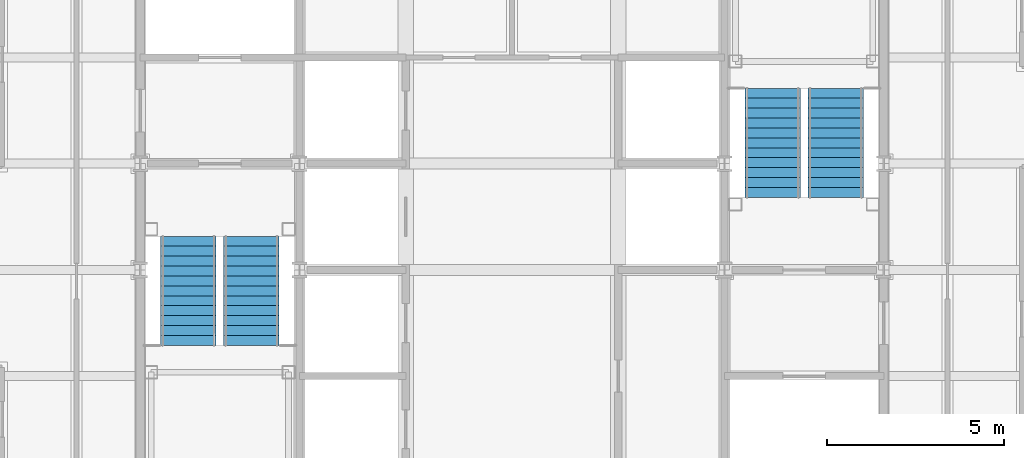
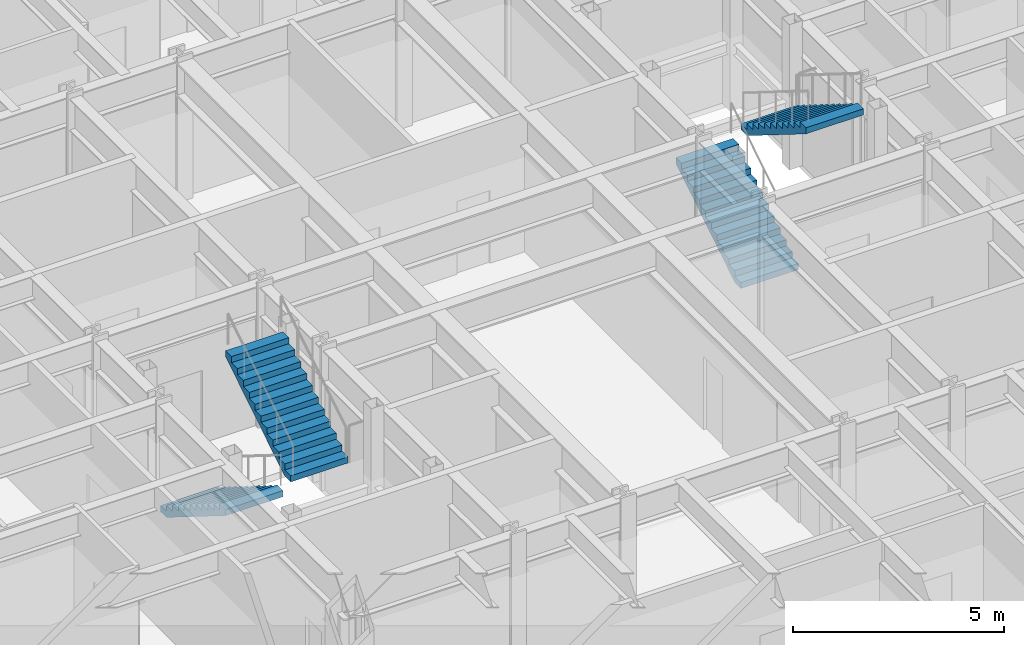
# One storey, part 13 of 15: 4 stair flights, 2 elements without a shape of their own.
"""IFC4 building model written with IfcOpenShell, lengths in metres."""

from ifc_helpers import new_model, si_unit, direction, frame, origin, place, context, subcontext, project, spatial, faceted_brep, material, type_object, element, aggregate, save


model = new_model("IFC4")

# Units and contexts
model_context = context("Model", 3, precision=1e-05, world=origin(), true_north=direction((0.0, 1.0)))
body_context = subcontext(model_context, "Body", "Model", "MODEL_VIEW")
ifc_project = project(units=[si_unit("LENGTHUNIT", "METRE"), si_unit("AREAUNIT", "SQUARE_METRE"), si_unit("VOLUMEUNIT", "CUBIC_METRE"), si_unit("PLANEANGLEUNIT", "RADIAN"), si_unit("MASSUNIT", "GRAM", prefix="KILO")], contexts=[model_context])

# Site, building, storey
site_placement = place(None, origin())
site = spatial("IfcSite", under=ifc_project, at=site_placement, CompositionType="ELEMENT")
building_placement = place(site_placement, origin())
building = spatial("IfcBuilding", under=site, at=building_placement, Name="Chuquiago Exchange Tower", CompositionType="ELEMENT")
storey_placement = place(building_placement, frame((0.0, 0.0, 287.39990234375)))
storey = spatial("IfcBuildingStorey", under=building, at=storey_placement, Name="L64", CompositionType="ELEMENT", Elevation=287.39990234375)

# Stair, stair flights
ifc_material_1 = material(Name="Concrete C30/37, precast", Category="concrete")
stair_type_1 = type_object("IfcStairType", Name="ST1 half-turn stair 4200", PredefinedType="HALF_TURN_STAIR", material=ifc_material_1)
stair_1_placement = place(storey_placement, origin())
stair_1 = element("IfcStair", 1, at=stair_1_placement, inside=storey, type_object=stair_type_1, Name="Stair ST1 L64", PredefinedType="HALF_TURN_STAIR")
ifc_material_2 = material(Name="Concrete C30/37, precast", Category="concrete")
stair_flight_type = type_object("IfcStairFlightType", Name="ST-F flight 1570 for 4200 storey", PredefinedType="STRAIGHT", material=ifc_material_2)
stair_flight_1_placement = place(storey_placement, frame((13.360107421875, 21.949951171875, 0.0), z_axis=(0.0, 0.0, 1.0), x_axis=(0.0, -1.0, 0.0)))
stair_flight_1 = element("IfcStairFlight", 2, at=stair_flight_1_placement, type_object=stair_flight_type, Name="ST1 flight 1", NumberOfRisers=12, NumberOfTreads=11, PredefinedType="STRAIGHT", RiserHeight=0.175, TreadLength=0.28, context=body_context, shape_type="Brep", body=[
    faceted_brep([(0.0, 0.78515625, 0.0), (0.0, 0.78515625, 0.175048828125), (0.280029296875, 0.78515625, 0.175048828125), (0.280029296875, 0.78515625, 0.35009765625), (0.56005859375, 0.78515625, 0.35009765625), (0.56005859375, 0.78515625, 0.52490234375), (0.840087890625, 0.78515625, 0.52490234375), (0.840087890625, 0.78515625, 0.699951171875), (1.1201171875, 0.78515625, 0.699951171875), (1.1201171875, 0.78515625, 0.875), (1.39990234375, 0.78515625, 0.875), (1.39990234375, 0.78515625, 1.050048828125), (1.679931640625, 0.78515625, 1.050048828125), (1.679931640625, 0.78515625, 1.22509765625), (1.9599609375, 0.78515625, 1.22509765625), (1.9599609375, 0.78515625, 1.39990234375), (2.239990234375, 0.78515625, 1.39990234375), (2.239990234375, 0.78515625, 1.574951171875), (2.52001953125, 0.78515625, 1.574951171875), (2.52001953125, 0.78515625, 1.75), (2.800048828125, 0.78515625, 1.75), (2.800048828125, 0.78515625, 1.925048828125), (3.080078125, 0.78515625, 1.925048828125), (3.080078125, 0.78515625, 1.748291015625), (0.28271484375, 0.78515625, 0.0), (0.28271484375, -0.78515625, 0.0), (3.080078125, -0.78515625, 1.748291015625), (3.080078125, -0.78515625, 1.925048828125), (2.800048828125, -0.78515625, 1.925048828125), (2.800048828125, -0.78515625, 1.75), (2.52001953125, -0.78515625, 1.75), (2.52001953125, -0.78515625, 1.574951171875), (2.239990234375, -0.78515625, 1.574951171875), (2.239990234375, -0.78515625, 1.39990234375), (1.9599609375, -0.78515625, 1.39990234375), (1.9599609375, -0.78515625, 1.22509765625), (1.679931640625, -0.78515625, 1.22509765625), (1.679931640625, -0.78515625, 1.050048828125), (1.39990234375, -0.78515625, 1.050048828125), (1.39990234375, -0.78515625, 0.875), (1.1201171875, -0.78515625, 0.875), (1.1201171875, -0.78515625, 0.699951171875), (0.840087890625, -0.78515625, 0.699951171875), (0.840087890625, -0.78515625, 0.52490234375), (0.56005859375, -0.78515625, 0.52490234375), (0.56005859375, -0.78515625, 0.35009765625), (0.280029296875, -0.78515625, 0.35009765625), (0.280029296875, -0.78515625, 0.175048828125), (0.0, -0.78515625, 0.175048828125), (0.0, -0.78515625, 0.0), (0.0, 0.392578125, 0.0), (0.0, 0.392578125, 0.175048828125), (0.0, 0.0, 0.0), (0.0, 0.0, 0.175048828125), (0.0, -0.392578125, 0.0), (0.0, -0.392578125, 0.175048828125), (0.280029296875, 0.392578125, 0.175048828125), (0.280029296875, 0.0, 0.175048828125), (0.280029296875, -0.392578125, 0.175048828125), (0.280029296875, 0.392578125, 0.35009765625), (0.280029296875, 0.0, 0.35009765625), (0.280029296875, -0.392578125, 0.35009765625), (0.56005859375, 0.392578125, 0.35009765625), (0.56005859375, 0.0, 0.35009765625), (0.56005859375, -0.392578125, 0.35009765625), (0.56005859375, 0.392578125, 0.52490234375), (0.56005859375, 0.0, 0.52490234375), (0.56005859375, -0.392578125, 0.52490234375), (0.840087890625, 0.392578125, 0.52490234375), (0.840087890625, 0.0, 0.52490234375), (0.840087890625, -0.392578125, 0.52490234375), (0.840087890625, 0.392578125, 0.699951171875), (0.840087890625, 0.0, 0.699951171875), (0.840087890625, -0.392578125, 0.699951171875), (1.1201171875, 0.392578125, 0.699951171875), (1.1201171875, 0.0, 0.699951171875), (1.1201171875, -0.392578125, 0.699951171875), (1.1201171875, 0.392578125, 0.875), (1.1201171875, 0.0, 0.875), (1.1201171875, -0.392578125, 0.875), (1.39990234375, 0.392578125, 0.875), (1.39990234375, 0.0, 0.875), (1.39990234375, -0.392578125, 0.875), (1.39990234375, 0.392578125, 1.050048828125), (1.39990234375, 0.0, 1.050048828125), (1.39990234375, -0.392578125, 1.050048828125), (1.679931640625, 0.392578125, 1.050048828125), (1.679931640625, 0.0, 1.050048828125), (1.679931640625, -0.392578125, 1.050048828125), (1.679931640625, 0.392578125, 1.22509765625), (1.679931640625, 0.0, 1.22509765625), (1.679931640625, -0.392578125, 1.22509765625), (1.9599609375, 0.392578125, 1.22509765625), (1.9599609375, 0.0, 1.22509765625), (1.9599609375, -0.392578125, 1.22509765625), (1.9599609375, 0.392578125, 1.39990234375), (1.9599609375, 0.0, 1.39990234375), (1.9599609375, -0.392578125, 1.39990234375), (2.239990234375, 0.392578125, 1.39990234375), (2.239990234375, 0.0, 1.39990234375), (2.239990234375, -0.392578125, 1.39990234375), (2.239990234375, 0.392578125, 1.574951171875), (2.239990234375, 0.0, 1.574951171875), (2.239990234375, -0.392578125, 1.574951171875), (2.52001953125, 0.392578125, 1.574951171875), (2.52001953125, 0.0, 1.574951171875), (2.52001953125, -0.392578125, 1.574951171875), (2.52001953125, 0.392578125, 1.75), (2.52001953125, 0.0, 1.75), (2.52001953125, -0.392578125, 1.75), (2.800048828125, 0.392578125, 1.75), (2.800048828125, 0.0, 1.75), (2.800048828125, -0.392578125, 1.75), (2.800048828125, 0.392578125, 1.925048828125), (2.800048828125, 0.0, 1.925048828125), (2.800048828125, -0.392578125, 1.925048828125), (3.080078125, 0.392578125, 1.925048828125), (3.080078125, 0.0, 1.925048828125), (3.080078125, -0.392578125, 1.925048828125), (3.080078125, 0.392578125, 1.748291015625), (3.080078125, 0.0, 1.748291015625), (3.080078125, -0.392578125, 1.748291015625), (0.28271484375, 0.392578125, 0.0), (0.28271484375, 0.0, 0.0), (0.28271484375, -0.392578125, 0.0)], [[[0, 1, 2, 3, 4, 5, 6, 7, 8, 9, 10, 11, 12, 13, 14, 15, 16, 17, 18, 19, 20, 21, 22, 23, 24]], [[25, 26, 27, 28, 29, 30, 31, 32, 33, 34, 35, 36, 37, 38, 39, 40, 41, 42, 43, 44, 45, 46, 47, 48, 49]], [[1, 0, 50, 51]], [[51, 50, 52, 53]], [[53, 52, 54, 55]], [[55, 54, 49, 48]], [[2, 1, 51, 56]], [[56, 51, 53, 57]], [[57, 53, 55, 58]], [[58, 55, 48, 47]], [[3, 2, 56, 59]], [[59, 56, 57, 60]], [[60, 57, 58, 61]], [[61, 58, 47, 46]], [[4, 3, 59, 62]], [[62, 59, 60, 63]], [[63, 60, 61, 64]], [[64, 61, 46, 45]], [[5, 4, 62, 65]], [[65, 62, 63, 66]], [[66, 63, 64, 67]], [[67, 64, 45, 44]], [[6, 5, 65, 68]], [[68, 65, 66, 69]], [[69, 66, 67, 70]], [[70, 67, 44, 43]], [[7, 6, 68, 71]], [[71, 68, 69, 72]], [[72, 69, 70, 73]], [[73, 70, 43, 42]], [[8, 7, 71, 74]], [[74, 71, 72, 75]], [[75, 72, 73, 76]], [[76, 73, 42, 41]], [[9, 8, 74, 77]], [[77, 74, 75, 78]], [[78, 75, 76, 79]], [[79, 76, 41, 40]], [[10, 9, 77, 80]], [[80, 77, 78, 81]], [[81, 78, 79, 82]], [[82, 79, 40, 39]], [[11, 10, 80, 83]], [[83, 80, 81, 84]], [[84, 81, 82, 85]], [[85, 82, 39, 38]], [[12, 11, 83, 86]], [[86, 83, 84, 87]], [[87, 84, 85, 88]], [[88, 85, 38, 37]], [[13, 12, 86, 89]], [[89, 86, 87, 90]], [[90, 87, 88, 91]], [[91, 88, 37, 36]], [[14, 13, 89, 92]], [[92, 89, 90, 93]], [[93, 90, 91, 94]], [[94, 91, 36, 35]], [[15, 14, 92, 95]], [[95, 92, 93, 96]], [[96, 93, 94, 97]], [[97, 94, 35, 34]], [[16, 15, 95, 98]], [[98, 95, 96, 99]], [[99, 96, 97, 100]], [[100, 97, 34, 33]], [[17, 16, 98, 101]], [[101, 98, 99, 102]], [[102, 99, 100, 103]], [[103, 100, 33, 32]], [[18, 17, 101, 104]], [[104, 101, 102, 105]], [[105, 102, 103, 106]], [[106, 103, 32, 31]], [[19, 18, 104, 107]], [[107, 104, 105, 108]], [[108, 105, 106, 109]], [[109, 106, 31, 30]], [[20, 19, 107, 110]], [[110, 107, 108, 111]], [[111, 108, 109, 112]], [[112, 109, 30, 29]], [[21, 20, 110, 113]], [[113, 110, 111, 114]], [[114, 111, 112, 115]], [[115, 112, 29, 28]], [[22, 21, 113, 116]], [[116, 113, 114, 117]], [[117, 114, 115, 118]], [[118, 115, 28, 27]], [[23, 22, 116, 119]], [[119, 116, 117, 120]], [[120, 117, 118, 121]], [[121, 118, 27, 26]], [[24, 23, 119, 122]], [[122, 119, 120, 123]], [[123, 120, 121, 124]], [[124, 121, 26, 25]], [[0, 24, 122, 50]], [[50, 122, 123, 52]], [[52, 123, 124, 54]], [[54, 124, 25, 49]]]),
])
stair_flight_2_placement = place(storey_placement, frame((15.139892578125, 18.8701171875, 2.10009765625), z_axis=(0.0, 0.0, 1.0), x_axis=(0.0, 1.0, 0.0)))
stair_flight_2 = element("IfcStairFlight", 3, at=stair_flight_2_placement, type_object=stair_flight_type, Name="ST1 flight 2", NumberOfRisers=12, NumberOfTreads=11, PredefinedType="STRAIGHT", RiserHeight=0.175, TreadLength=0.28, context=body_context, shape_type="Brep", body=[
    faceted_brep([(0.0, 0.78515625, 0.0), (0.0, 0.78515625, 0.175048828125), (0.280029296875, 0.78515625, 0.175048828125), (0.280029296875, 0.78515625, 0.35009765625), (0.56005859375, 0.78515625, 0.35009765625), (0.56005859375, 0.78515625, 0.52490234375), (0.840087890625, 0.78515625, 0.52490234375), (0.840087890625, 0.78515625, 0.699951171875), (1.1201171875, 0.78515625, 0.699951171875), (1.1201171875, 0.78515625, 0.875), (1.39990234375, 0.78515625, 0.875), (1.39990234375, 0.78515625, 1.050048828125), (1.679931640625, 0.78515625, 1.050048828125), (1.679931640625, 0.78515625, 1.22509765625), (1.9599609375, 0.78515625, 1.22509765625), (1.9599609375, 0.78515625, 1.39990234375), (2.239990234375, 0.78515625, 1.39990234375), (2.239990234375, 0.78515625, 1.574951171875), (2.52001953125, 0.78515625, 1.574951171875), (2.52001953125, 0.78515625, 1.75), (2.800048828125, 0.78515625, 1.75), (2.800048828125, 0.78515625, 1.925048828125), (3.080078125, 0.78515625, 1.925048828125), (3.080078125, 0.78515625, 1.748291015625), (0.28271484375, 0.78515625, 0.0), (0.28271484375, -0.78515625, 0.0), (3.080078125, -0.78515625, 1.748291015625), (3.080078125, -0.78515625, 1.925048828125), (2.800048828125, -0.78515625, 1.925048828125), (2.800048828125, -0.78515625, 1.75), (2.52001953125, -0.78515625, 1.75), (2.52001953125, -0.78515625, 1.574951171875), (2.239990234375, -0.78515625, 1.574951171875), (2.239990234375, -0.78515625, 1.39990234375), (1.9599609375, -0.78515625, 1.39990234375), (1.9599609375, -0.78515625, 1.22509765625), (1.679931640625, -0.78515625, 1.22509765625), (1.679931640625, -0.78515625, 1.050048828125), (1.39990234375, -0.78515625, 1.050048828125), (1.39990234375, -0.78515625, 0.875), (1.1201171875, -0.78515625, 0.875), (1.1201171875, -0.78515625, 0.699951171875), (0.840087890625, -0.78515625, 0.699951171875), (0.840087890625, -0.78515625, 0.52490234375), (0.56005859375, -0.78515625, 0.52490234375), (0.56005859375, -0.78515625, 0.35009765625), (0.280029296875, -0.78515625, 0.35009765625), (0.280029296875, -0.78515625, 0.175048828125), (0.0, -0.78515625, 0.175048828125), (0.0, -0.78515625, 0.0), (0.0, 0.392578125, 0.0), (0.0, 0.392578125, 0.175048828125), (0.0, 0.0, 0.0), (0.0, 0.0, 0.175048828125), (0.0, -0.392578125, 0.0), (0.0, -0.392578125, 0.175048828125), (0.280029296875, 0.392578125, 0.175048828125), (0.280029296875, 0.0, 0.175048828125), (0.280029296875, -0.392578125, 0.175048828125), (0.280029296875, 0.392578125, 0.35009765625), (0.280029296875, 0.0, 0.35009765625), (0.280029296875, -0.392578125, 0.35009765625), (0.56005859375, 0.392578125, 0.35009765625), (0.56005859375, 0.0, 0.35009765625), (0.56005859375, -0.392578125, 0.35009765625), (0.56005859375, 0.392578125, 0.52490234375), (0.56005859375, 0.0, 0.52490234375), (0.56005859375, -0.392578125, 0.52490234375), (0.840087890625, 0.392578125, 0.52490234375), (0.840087890625, 0.0, 0.52490234375), (0.840087890625, -0.392578125, 0.52490234375), (0.840087890625, 0.392578125, 0.699951171875), (0.840087890625, 0.0, 0.699951171875), (0.840087890625, -0.392578125, 0.699951171875), (1.1201171875, 0.392578125, 0.699951171875), (1.1201171875, 0.0, 0.699951171875), (1.1201171875, -0.392578125, 0.699951171875), (1.1201171875, 0.392578125, 0.875), (1.1201171875, 0.0, 0.875), (1.1201171875, -0.392578125, 0.875), (1.39990234375, 0.392578125, 0.875), (1.39990234375, 0.0, 0.875), (1.39990234375, -0.392578125, 0.875), (1.39990234375, 0.392578125, 1.050048828125), (1.39990234375, 0.0, 1.050048828125), (1.39990234375, -0.392578125, 1.050048828125), (1.679931640625, 0.392578125, 1.050048828125), (1.679931640625, 0.0, 1.050048828125), (1.679931640625, -0.392578125, 1.050048828125), (1.679931640625, 0.392578125, 1.22509765625), (1.679931640625, 0.0, 1.22509765625), (1.679931640625, -0.392578125, 1.22509765625), (1.9599609375, 0.392578125, 1.22509765625), (1.9599609375, 0.0, 1.22509765625), (1.9599609375, -0.392578125, 1.22509765625), (1.9599609375, 0.392578125, 1.39990234375), (1.9599609375, 0.0, 1.39990234375), (1.9599609375, -0.392578125, 1.39990234375), (2.239990234375, 0.392578125, 1.39990234375), (2.239990234375, 0.0, 1.39990234375), (2.239990234375, -0.392578125, 1.39990234375), (2.239990234375, 0.392578125, 1.574951171875), (2.239990234375, 0.0, 1.574951171875), (2.239990234375, -0.392578125, 1.574951171875), (2.52001953125, 0.392578125, 1.574951171875), (2.52001953125, 0.0, 1.574951171875), (2.52001953125, -0.392578125, 1.574951171875), (2.52001953125, 0.392578125, 1.75), (2.52001953125, 0.0, 1.75), (2.52001953125, -0.392578125, 1.75), (2.800048828125, 0.392578125, 1.75), (2.800048828125, 0.0, 1.75), (2.800048828125, -0.392578125, 1.75), (2.800048828125, 0.392578125, 1.925048828125), (2.800048828125, 0.0, 1.925048828125), (2.800048828125, -0.392578125, 1.925048828125), (3.080078125, 0.392578125, 1.925048828125), (3.080078125, 0.0, 1.925048828125), (3.080078125, -0.392578125, 1.925048828125), (3.080078125, 0.392578125, 1.748291015625), (3.080078125, 0.0, 1.748291015625), (3.080078125, -0.392578125, 1.748291015625), (0.28271484375, 0.392578125, 0.0), (0.28271484375, 0.0, 0.0), (0.28271484375, -0.392578125, 0.0)], [[[0, 1, 2, 3, 4, 5, 6, 7, 8, 9, 10, 11, 12, 13, 14, 15, 16, 17, 18, 19, 20, 21, 22, 23, 24]], [[25, 26, 27, 28, 29, 30, 31, 32, 33, 34, 35, 36, 37, 38, 39, 40, 41, 42, 43, 44, 45, 46, 47, 48, 49]], [[1, 0, 50, 51]], [[51, 50, 52, 53]], [[53, 52, 54, 55]], [[55, 54, 49, 48]], [[2, 1, 51, 56]], [[56, 51, 53, 57]], [[57, 53, 55, 58]], [[58, 55, 48, 47]], [[3, 2, 56, 59]], [[59, 56, 57, 60]], [[60, 57, 58, 61]], [[61, 58, 47, 46]], [[4, 3, 59, 62]], [[62, 59, 60, 63]], [[63, 60, 61, 64]], [[64, 61, 46, 45]], [[5, 4, 62, 65]], [[65, 62, 63, 66]], [[66, 63, 64, 67]], [[67, 64, 45, 44]], [[6, 5, 65, 68]], [[68, 65, 66, 69]], [[69, 66, 67, 70]], [[70, 67, 44, 43]], [[7, 6, 68, 71]], [[71, 68, 69, 72]], [[72, 69, 70, 73]], [[73, 70, 43, 42]], [[8, 7, 71, 74]], [[74, 71, 72, 75]], [[75, 72, 73, 76]], [[76, 73, 42, 41]], [[9, 8, 74, 77]], [[77, 74, 75, 78]], [[78, 75, 76, 79]], [[79, 76, 41, 40]], [[10, 9, 77, 80]], [[80, 77, 78, 81]], [[81, 78, 79, 82]], [[82, 79, 40, 39]], [[11, 10, 80, 83]], [[83, 80, 81, 84]], [[84, 81, 82, 85]], [[85, 82, 39, 38]], [[12, 11, 83, 86]], [[86, 83, 84, 87]], [[87, 84, 85, 88]], [[88, 85, 38, 37]], [[13, 12, 86, 89]], [[89, 86, 87, 90]], [[90, 87, 88, 91]], [[91, 88, 37, 36]], [[14, 13, 89, 92]], [[92, 89, 90, 93]], [[93, 90, 91, 94]], [[94, 91, 36, 35]], [[15, 14, 92, 95]], [[95, 92, 93, 96]], [[96, 93, 94, 97]], [[97, 94, 35, 34]], [[16, 15, 95, 98]], [[98, 95, 96, 99]], [[99, 96, 97, 100]], [[100, 97, 34, 33]], [[17, 16, 98, 101]], [[101, 98, 99, 102]], [[102, 99, 100, 103]], [[103, 100, 33, 32]], [[18, 17, 101, 104]], [[104, 101, 102, 105]], [[105, 102, 103, 106]], [[106, 103, 32, 31]], [[19, 18, 104, 107]], [[107, 104, 105, 108]], [[108, 105, 106, 109]], [[109, 106, 31, 30]], [[20, 19, 107, 110]], [[110, 107, 108, 111]], [[111, 108, 109, 112]], [[112, 109, 30, 29]], [[21, 20, 110, 113]], [[113, 110, 111, 114]], [[114, 111, 112, 115]], [[115, 112, 29, 28]], [[22, 21, 113, 116]], [[116, 113, 114, 117]], [[117, 114, 115, 118]], [[118, 115, 28, 27]], [[23, 22, 116, 119]], [[119, 116, 117, 120]], [[120, 117, 118, 121]], [[121, 118, 27, 26]], [[24, 23, 119, 122]], [[122, 119, 120, 123]], [[123, 120, 121, 124]], [[124, 121, 26, 25]], [[0, 24, 122, 50]], [[50, 122, 123, 52]], [[52, 123, 124, 54]], [[54, 124, 25, 49]]]),
])
aggregate(stair_1, [stair_flight_1, stair_flight_2])

ifc_material_3 = material(Name="Concrete C30/37, precast", Category="concrete")
stair_type_2 = type_object("IfcStairType", Name="ST2 half-turn stair 4200", PredefinedType="HALF_TURN_STAIR", material=ifc_material_3)
stair_2_placement = place(storey_placement, origin())
stair_2 = element("IfcStair", 4, at=stair_2_placement, inside=storey, type_object=stair_type_2, Name="Stair ST2 L64", PredefinedType="HALF_TURN_STAIR")
stair_flight_3_placement = place(storey_placement, frame((29.860107421875, 23.050048828125, 0.0), z_axis=(0.0, 0.0, 1.0), x_axis=(0.0, 1.0, 0.0)))
stair_flight_3 = element("IfcStairFlight", 5, at=stair_flight_3_placement, type_object=stair_flight_type, Name="ST2 flight 1", NumberOfRisers=12, NumberOfTreads=11, PredefinedType="STRAIGHT", RiserHeight=0.175, TreadLength=0.28, context=body_context, shape_type="Brep", body=[
    faceted_brep([(0.0, 0.78515625, 0.0), (0.0, 0.78515625, 0.175048828125), (0.280029296875, 0.78515625, 0.175048828125), (0.280029296875, 0.78515625, 0.35009765625), (0.56005859375, 0.78515625, 0.35009765625), (0.56005859375, 0.78515625, 0.52490234375), (0.840087890625, 0.78515625, 0.52490234375), (0.840087890625, 0.78515625, 0.699951171875), (1.1201171875, 0.78515625, 0.699951171875), (1.1201171875, 0.78515625, 0.875), (1.39990234375, 0.78515625, 0.875), (1.39990234375, 0.78515625, 1.050048828125), (1.679931640625, 0.78515625, 1.050048828125), (1.679931640625, 0.78515625, 1.22509765625), (1.9599609375, 0.78515625, 1.22509765625), (1.9599609375, 0.78515625, 1.39990234375), (2.239990234375, 0.78515625, 1.39990234375), (2.239990234375, 0.78515625, 1.574951171875), (2.52001953125, 0.78515625, 1.574951171875), (2.52001953125, 0.78515625, 1.75), (2.800048828125, 0.78515625, 1.75), (2.800048828125, 0.78515625, 1.925048828125), (3.080078125, 0.78515625, 1.925048828125), (3.080078125, 0.78515625, 1.748291015625), (0.28271484375, 0.78515625, 0.0), (0.28271484375, -0.78515625, 0.0), (3.080078125, -0.78515625, 1.748291015625), (3.080078125, -0.78515625, 1.925048828125), (2.800048828125, -0.78515625, 1.925048828125), (2.800048828125, -0.78515625, 1.75), (2.52001953125, -0.78515625, 1.75), (2.52001953125, -0.78515625, 1.574951171875), (2.239990234375, -0.78515625, 1.574951171875), (2.239990234375, -0.78515625, 1.39990234375), (1.9599609375, -0.78515625, 1.39990234375), (1.9599609375, -0.78515625, 1.22509765625), (1.679931640625, -0.78515625, 1.22509765625), (1.679931640625, -0.78515625, 1.050048828125), (1.39990234375, -0.78515625, 1.050048828125), (1.39990234375, -0.78515625, 0.875), (1.1201171875, -0.78515625, 0.875), (1.1201171875, -0.78515625, 0.699951171875), (0.840087890625, -0.78515625, 0.699951171875), (0.840087890625, -0.78515625, 0.52490234375), (0.56005859375, -0.78515625, 0.52490234375), (0.56005859375, -0.78515625, 0.35009765625), (0.280029296875, -0.78515625, 0.35009765625), (0.280029296875, -0.78515625, 0.175048828125), (0.0, -0.78515625, 0.175048828125), (0.0, -0.78515625, 0.0), (0.0, 0.392578125, 0.0), (0.0, 0.392578125, 0.175048828125), (0.0, 0.0, 0.0), (0.0, 0.0, 0.175048828125), (0.0, -0.392578125, 0.0), (0.0, -0.392578125, 0.175048828125), (0.280029296875, 0.392578125, 0.175048828125), (0.280029296875, 0.0, 0.175048828125), (0.280029296875, -0.392578125, 0.175048828125), (0.280029296875, 0.392578125, 0.35009765625), (0.280029296875, 0.0, 0.35009765625), (0.280029296875, -0.392578125, 0.35009765625), (0.56005859375, 0.392578125, 0.35009765625), (0.56005859375, 0.0, 0.35009765625), (0.56005859375, -0.392578125, 0.35009765625), (0.56005859375, 0.392578125, 0.52490234375), (0.56005859375, 0.0, 0.52490234375), (0.56005859375, -0.392578125, 0.52490234375), (0.840087890625, 0.392578125, 0.52490234375), (0.840087890625, 0.0, 0.52490234375), (0.840087890625, -0.392578125, 0.52490234375), (0.840087890625, 0.392578125, 0.699951171875), (0.840087890625, 0.0, 0.699951171875), (0.840087890625, -0.392578125, 0.699951171875), (1.1201171875, 0.392578125, 0.699951171875), (1.1201171875, 0.0, 0.699951171875), (1.1201171875, -0.392578125, 0.699951171875), (1.1201171875, 0.392578125, 0.875), (1.1201171875, 0.0, 0.875), (1.1201171875, -0.392578125, 0.875), (1.39990234375, 0.392578125, 0.875), (1.39990234375, 0.0, 0.875), (1.39990234375, -0.392578125, 0.875), (1.39990234375, 0.392578125, 1.050048828125), (1.39990234375, 0.0, 1.050048828125), (1.39990234375, -0.392578125, 1.050048828125), (1.679931640625, 0.392578125, 1.050048828125), (1.679931640625, 0.0, 1.050048828125), (1.679931640625, -0.392578125, 1.050048828125), (1.679931640625, 0.392578125, 1.22509765625), (1.679931640625, 0.0, 1.22509765625), (1.679931640625, -0.392578125, 1.22509765625), (1.9599609375, 0.392578125, 1.22509765625), (1.9599609375, 0.0, 1.22509765625), (1.9599609375, -0.392578125, 1.22509765625), (1.9599609375, 0.392578125, 1.39990234375), (1.9599609375, 0.0, 1.39990234375), (1.9599609375, -0.392578125, 1.39990234375), (2.239990234375, 0.392578125, 1.39990234375), (2.239990234375, 0.0, 1.39990234375), (2.239990234375, -0.392578125, 1.39990234375), (2.239990234375, 0.392578125, 1.574951171875), (2.239990234375, 0.0, 1.574951171875), (2.239990234375, -0.392578125, 1.574951171875), (2.52001953125, 0.392578125, 1.574951171875), (2.52001953125, 0.0, 1.574951171875), (2.52001953125, -0.392578125, 1.574951171875), (2.52001953125, 0.392578125, 1.75), (2.52001953125, 0.0, 1.75), (2.52001953125, -0.392578125, 1.75), (2.800048828125, 0.392578125, 1.75), (2.800048828125, 0.0, 1.75), (2.800048828125, -0.392578125, 1.75), (2.800048828125, 0.392578125, 1.925048828125), (2.800048828125, 0.0, 1.925048828125), (2.800048828125, -0.392578125, 1.925048828125), (3.080078125, 0.392578125, 1.925048828125), (3.080078125, 0.0, 1.925048828125), (3.080078125, -0.392578125, 1.925048828125), (3.080078125, 0.392578125, 1.748291015625), (3.080078125, 0.0, 1.748291015625), (3.080078125, -0.392578125, 1.748291015625), (0.28271484375, 0.392578125, 0.0), (0.28271484375, 0.0, 0.0), (0.28271484375, -0.392578125, 0.0)], [[[0, 1, 2, 3, 4, 5, 6, 7, 8, 9, 10, 11, 12, 13, 14, 15, 16, 17, 18, 19, 20, 21, 22, 23, 24]], [[25, 26, 27, 28, 29, 30, 31, 32, 33, 34, 35, 36, 37, 38, 39, 40, 41, 42, 43, 44, 45, 46, 47, 48, 49]], [[1, 0, 50, 51]], [[51, 50, 52, 53]], [[53, 52, 54, 55]], [[55, 54, 49, 48]], [[2, 1, 51, 56]], [[56, 51, 53, 57]], [[57, 53, 55, 58]], [[58, 55, 48, 47]], [[3, 2, 56, 59]], [[59, 56, 57, 60]], [[60, 57, 58, 61]], [[61, 58, 47, 46]], [[4, 3, 59, 62]], [[62, 59, 60, 63]], [[63, 60, 61, 64]], [[64, 61, 46, 45]], [[5, 4, 62, 65]], [[65, 62, 63, 66]], [[66, 63, 64, 67]], [[67, 64, 45, 44]], [[6, 5, 65, 68]], [[68, 65, 66, 69]], [[69, 66, 67, 70]], [[70, 67, 44, 43]], [[7, 6, 68, 71]], [[71, 68, 69, 72]], [[72, 69, 70, 73]], [[73, 70, 43, 42]], [[8, 7, 71, 74]], [[74, 71, 72, 75]], [[75, 72, 73, 76]], [[76, 73, 42, 41]], [[9, 8, 74, 77]], [[77, 74, 75, 78]], [[78, 75, 76, 79]], [[79, 76, 41, 40]], [[10, 9, 77, 80]], [[80, 77, 78, 81]], [[81, 78, 79, 82]], [[82, 79, 40, 39]], [[11, 10, 80, 83]], [[83, 80, 81, 84]], [[84, 81, 82, 85]], [[85, 82, 39, 38]], [[12, 11, 83, 86]], [[86, 83, 84, 87]], [[87, 84, 85, 88]], [[88, 85, 38, 37]], [[13, 12, 86, 89]], [[89, 86, 87, 90]], [[90, 87, 88, 91]], [[91, 88, 37, 36]], [[14, 13, 89, 92]], [[92, 89, 90, 93]], [[93, 90, 91, 94]], [[94, 91, 36, 35]], [[15, 14, 92, 95]], [[95, 92, 93, 96]], [[96, 93, 94, 97]], [[97, 94, 35, 34]], [[16, 15, 95, 98]], [[98, 95, 96, 99]], [[99, 96, 97, 100]], [[100, 97, 34, 33]], [[17, 16, 98, 101]], [[101, 98, 99, 102]], [[102, 99, 100, 103]], [[103, 100, 33, 32]], [[18, 17, 101, 104]], [[104, 101, 102, 105]], [[105, 102, 103, 106]], [[106, 103, 32, 31]], [[19, 18, 104, 107]], [[107, 104, 105, 108]], [[108, 105, 106, 109]], [[109, 106, 31, 30]], [[20, 19, 107, 110]], [[110, 107, 108, 111]], [[111, 108, 109, 112]], [[112, 109, 30, 29]], [[21, 20, 110, 113]], [[113, 110, 111, 114]], [[114, 111, 112, 115]], [[115, 112, 29, 28]], [[22, 21, 113, 116]], [[116, 113, 114, 117]], [[117, 114, 115, 118]], [[118, 115, 28, 27]], [[23, 22, 116, 119]], [[119, 116, 117, 120]], [[120, 117, 118, 121]], [[121, 118, 27, 26]], [[24, 23, 119, 122]], [[122, 119, 120, 123]], [[123, 120, 121, 124]], [[124, 121, 26, 25]], [[0, 24, 122, 50]], [[50, 122, 123, 52]], [[52, 123, 124, 54]], [[54, 124, 25, 49]]]),
])
stair_flight_4_placement = place(storey_placement, frame((31.639892578125, 26.1298828125, 2.10009765625), z_axis=(0.0, 0.0, 1.0), x_axis=(0.0, -1.0, 0.0)))
stair_flight_4 = element("IfcStairFlight", 6, at=stair_flight_4_placement, type_object=stair_flight_type, Name="ST2 flight 2", NumberOfRisers=12, NumberOfTreads=11, PredefinedType="STRAIGHT", RiserHeight=0.175, TreadLength=0.28, context=body_context, shape_type="Brep", body=[
    faceted_brep([(0.0, 0.78515625, 0.0), (0.0, 0.78515625, 0.175048828125), (0.280029296875, 0.78515625, 0.175048828125), (0.280029296875, 0.78515625, 0.35009765625), (0.56005859375, 0.78515625, 0.35009765625), (0.56005859375, 0.78515625, 0.52490234375), (0.840087890625, 0.78515625, 0.52490234375), (0.840087890625, 0.78515625, 0.699951171875), (1.1201171875, 0.78515625, 0.699951171875), (1.1201171875, 0.78515625, 0.875), (1.39990234375, 0.78515625, 0.875), (1.39990234375, 0.78515625, 1.050048828125), (1.679931640625, 0.78515625, 1.050048828125), (1.679931640625, 0.78515625, 1.22509765625), (1.9599609375, 0.78515625, 1.22509765625), (1.9599609375, 0.78515625, 1.39990234375), (2.239990234375, 0.78515625, 1.39990234375), (2.239990234375, 0.78515625, 1.574951171875), (2.52001953125, 0.78515625, 1.574951171875), (2.52001953125, 0.78515625, 1.75), (2.800048828125, 0.78515625, 1.75), (2.800048828125, 0.78515625, 1.925048828125), (3.080078125, 0.78515625, 1.925048828125), (3.080078125, 0.78515625, 1.748291015625), (0.28271484375, 0.78515625, 0.0), (0.28271484375, -0.78515625, 0.0), (3.080078125, -0.78515625, 1.748291015625), (3.080078125, -0.78515625, 1.925048828125), (2.800048828125, -0.78515625, 1.925048828125), (2.800048828125, -0.78515625, 1.75), (2.52001953125, -0.78515625, 1.75), (2.52001953125, -0.78515625, 1.574951171875), (2.239990234375, -0.78515625, 1.574951171875), (2.239990234375, -0.78515625, 1.39990234375), (1.9599609375, -0.78515625, 1.39990234375), (1.9599609375, -0.78515625, 1.22509765625), (1.679931640625, -0.78515625, 1.22509765625), (1.679931640625, -0.78515625, 1.050048828125), (1.39990234375, -0.78515625, 1.050048828125), (1.39990234375, -0.78515625, 0.875), (1.1201171875, -0.78515625, 0.875), (1.1201171875, -0.78515625, 0.699951171875), (0.840087890625, -0.78515625, 0.699951171875), (0.840087890625, -0.78515625, 0.52490234375), (0.56005859375, -0.78515625, 0.52490234375), (0.56005859375, -0.78515625, 0.35009765625), (0.280029296875, -0.78515625, 0.35009765625), (0.280029296875, -0.78515625, 0.175048828125), (0.0, -0.78515625, 0.175048828125), (0.0, -0.78515625, 0.0), (0.0, 0.392578125, 0.0), (0.0, 0.392578125, 0.175048828125), (0.0, 0.0, 0.0), (0.0, 0.0, 0.175048828125), (0.0, -0.392578125, 0.0), (0.0, -0.392578125, 0.175048828125), (0.280029296875, 0.392578125, 0.175048828125), (0.280029296875, 0.0, 0.175048828125), (0.280029296875, -0.392578125, 0.175048828125), (0.280029296875, 0.392578125, 0.35009765625), (0.280029296875, 0.0, 0.35009765625), (0.280029296875, -0.392578125, 0.35009765625), (0.56005859375, 0.392578125, 0.35009765625), (0.56005859375, 0.0, 0.35009765625), (0.56005859375, -0.392578125, 0.35009765625), (0.56005859375, 0.392578125, 0.52490234375), (0.56005859375, 0.0, 0.52490234375), (0.56005859375, -0.392578125, 0.52490234375), (0.840087890625, 0.392578125, 0.52490234375), (0.840087890625, 0.0, 0.52490234375), (0.840087890625, -0.392578125, 0.52490234375), (0.840087890625, 0.392578125, 0.699951171875), (0.840087890625, 0.0, 0.699951171875), (0.840087890625, -0.392578125, 0.699951171875), (1.1201171875, 0.392578125, 0.699951171875), (1.1201171875, 0.0, 0.699951171875), (1.1201171875, -0.392578125, 0.699951171875), (1.1201171875, 0.392578125, 0.875), (1.1201171875, 0.0, 0.875), (1.1201171875, -0.392578125, 0.875), (1.39990234375, 0.392578125, 0.875), (1.39990234375, 0.0, 0.875), (1.39990234375, -0.392578125, 0.875), (1.39990234375, 0.392578125, 1.050048828125), (1.39990234375, 0.0, 1.050048828125), (1.39990234375, -0.392578125, 1.050048828125), (1.679931640625, 0.392578125, 1.050048828125), (1.679931640625, 0.0, 1.050048828125), (1.679931640625, -0.392578125, 1.050048828125), (1.679931640625, 0.392578125, 1.22509765625), (1.679931640625, 0.0, 1.22509765625), (1.679931640625, -0.392578125, 1.22509765625), (1.9599609375, 0.392578125, 1.22509765625), (1.9599609375, 0.0, 1.22509765625), (1.9599609375, -0.392578125, 1.22509765625), (1.9599609375, 0.392578125, 1.39990234375), (1.9599609375, 0.0, 1.39990234375), (1.9599609375, -0.392578125, 1.39990234375), (2.239990234375, 0.392578125, 1.39990234375), (2.239990234375, 0.0, 1.39990234375), (2.239990234375, -0.392578125, 1.39990234375), (2.239990234375, 0.392578125, 1.574951171875), (2.239990234375, 0.0, 1.574951171875), (2.239990234375, -0.392578125, 1.574951171875), (2.52001953125, 0.392578125, 1.574951171875), (2.52001953125, 0.0, 1.574951171875), (2.52001953125, -0.392578125, 1.574951171875), (2.52001953125, 0.392578125, 1.75), (2.52001953125, 0.0, 1.75), (2.52001953125, -0.392578125, 1.75), (2.800048828125, 0.392578125, 1.75), (2.800048828125, 0.0, 1.75), (2.800048828125, -0.392578125, 1.75), (2.800048828125, 0.392578125, 1.925048828125), (2.800048828125, 0.0, 1.925048828125), (2.800048828125, -0.392578125, 1.925048828125), (3.080078125, 0.392578125, 1.925048828125), (3.080078125, 0.0, 1.925048828125), (3.080078125, -0.392578125, 1.925048828125), (3.080078125, 0.392578125, 1.748291015625), (3.080078125, 0.0, 1.748291015625), (3.080078125, -0.392578125, 1.748291015625), (0.28271484375, 0.392578125, 0.0), (0.28271484375, 0.0, 0.0), (0.28271484375, -0.392578125, 0.0)], [[[0, 1, 2, 3, 4, 5, 6, 7, 8, 9, 10, 11, 12, 13, 14, 15, 16, 17, 18, 19, 20, 21, 22, 23, 24]], [[25, 26, 27, 28, 29, 30, 31, 32, 33, 34, 35, 36, 37, 38, 39, 40, 41, 42, 43, 44, 45, 46, 47, 48, 49]], [[1, 0, 50, 51]], [[51, 50, 52, 53]], [[53, 52, 54, 55]], [[55, 54, 49, 48]], [[2, 1, 51, 56]], [[56, 51, 53, 57]], [[57, 53, 55, 58]], [[58, 55, 48, 47]], [[3, 2, 56, 59]], [[59, 56, 57, 60]], [[60, 57, 58, 61]], [[61, 58, 47, 46]], [[4, 3, 59, 62]], [[62, 59, 60, 63]], [[63, 60, 61, 64]], [[64, 61, 46, 45]], [[5, 4, 62, 65]], [[65, 62, 63, 66]], [[66, 63, 64, 67]], [[67, 64, 45, 44]], [[6, 5, 65, 68]], [[68, 65, 66, 69]], [[69, 66, 67, 70]], [[70, 67, 44, 43]], [[7, 6, 68, 71]], [[71, 68, 69, 72]], [[72, 69, 70, 73]], [[73, 70, 43, 42]], [[8, 7, 71, 74]], [[74, 71, 72, 75]], [[75, 72, 73, 76]], [[76, 73, 42, 41]], [[9, 8, 74, 77]], [[77, 74, 75, 78]], [[78, 75, 76, 79]], [[79, 76, 41, 40]], [[10, 9, 77, 80]], [[80, 77, 78, 81]], [[81, 78, 79, 82]], [[82, 79, 40, 39]], [[11, 10, 80, 83]], [[83, 80, 81, 84]], [[84, 81, 82, 85]], [[85, 82, 39, 38]], [[12, 11, 83, 86]], [[86, 83, 84, 87]], [[87, 84, 85, 88]], [[88, 85, 38, 37]], [[13, 12, 86, 89]], [[89, 86, 87, 90]], [[90, 87, 88, 91]], [[91, 88, 37, 36]], [[14, 13, 89, 92]], [[92, 89, 90, 93]], [[93, 90, 91, 94]], [[94, 91, 36, 35]], [[15, 14, 92, 95]], [[95, 92, 93, 96]], [[96, 93, 94, 97]], [[97, 94, 35, 34]], [[16, 15, 95, 98]], [[98, 95, 96, 99]], [[99, 96, 97, 100]], [[100, 97, 34, 33]], [[17, 16, 98, 101]], [[101, 98, 99, 102]], [[102, 99, 100, 103]], [[103, 100, 33, 32]], [[18, 17, 101, 104]], [[104, 101, 102, 105]], [[105, 102, 103, 106]], [[106, 103, 32, 31]], [[19, 18, 104, 107]], [[107, 104, 105, 108]], [[108, 105, 106, 109]], [[109, 106, 31, 30]], [[20, 19, 107, 110]], [[110, 107, 108, 111]], [[111, 108, 109, 112]], [[112, 109, 30, 29]], [[21, 20, 110, 113]], [[113, 110, 111, 114]], [[114, 111, 112, 115]], [[115, 112, 29, 28]], [[22, 21, 113, 116]], [[116, 113, 114, 117]], [[117, 114, 115, 118]], [[118, 115, 28, 27]], [[23, 22, 116, 119]], [[119, 116, 117, 120]], [[120, 117, 118, 121]], [[121, 118, 27, 26]], [[24, 23, 119, 122]], [[122, 119, 120, 123]], [[123, 120, 121, 124]], [[124, 121, 26, 25]], [[0, 24, 122, 50]], [[50, 122, 123, 52]], [[52, 123, 124, 54]], [[54, 124, 25, 49]]]),
])
aggregate(stair_2, [stair_flight_3, stair_flight_4])

save(model, "model.ifc")
